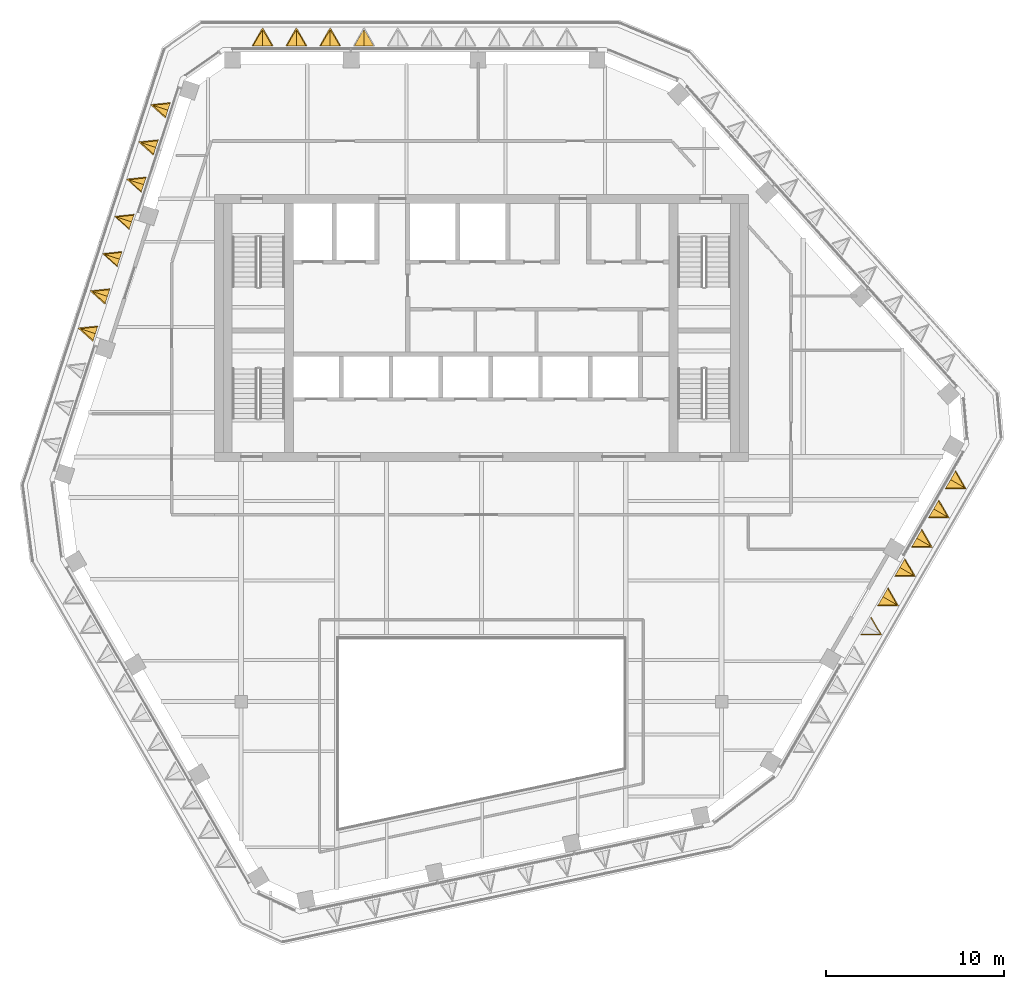
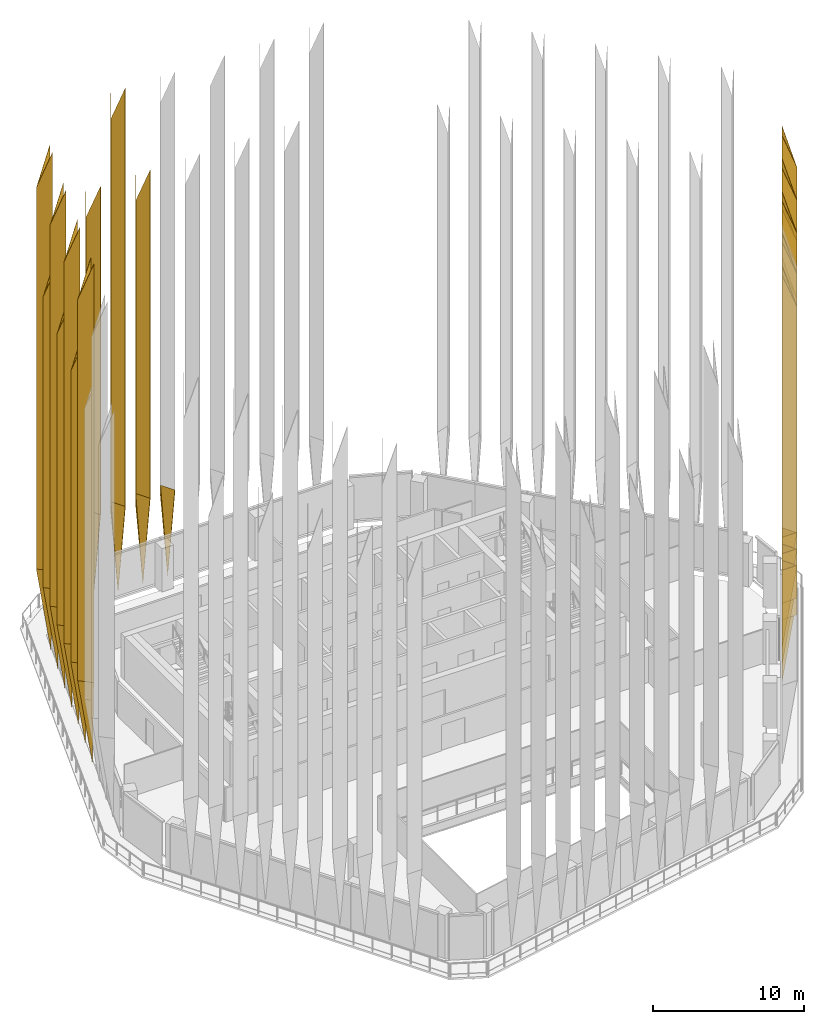
# One storey, part 19 of 21: 32 coverings.
"""IFC4 building model written with IfcOpenShell, lengths in metres."""

from ifc_helpers import new_model, si_unit, direction, frame, origin, place, context, subcontext, project, spatial, polyline, outline, faceted_brep, material, material_profile, profile_set, type_object, element, save


model = new_model("IFC4")

# Units and contexts
model_context = context("Model", 3, precision=1e-05, world=origin(), true_north=direction((0.0, 1.0)))
body_context = subcontext(model_context, "Body", "Model", "MODEL_VIEW")
ifc_project = project(units=[si_unit("LENGTHUNIT", "METRE"), si_unit("AREAUNIT", "SQUARE_METRE"), si_unit("VOLUMEUNIT", "CUBIC_METRE"), si_unit("PLANEANGLEUNIT", "RADIAN"), si_unit("MASSUNIT", "GRAM", prefix="KILO")], contexts=[model_context])

# Site, building, storey
site_placement = place(None, origin())
site = spatial("IfcSite", under=ifc_project, at=site_placement, CompositionType="ELEMENT")
building_placement = place(site_placement, origin())
building = spatial("IfcBuilding", under=site, at=building_placement, Name="Isthmus Gate Tower", CompositionType="ELEMENT")
storey_placement = place(building_placement, frame((0.0, 0.0, 260.949951171875)))
storey = spatial("IfcBuildingStorey", under=building, at=storey_placement, Name="L66", CompositionType="ELEMENT", Elevation=260.949951171875)

# Coverings
ifc_material_1 = material(Name="Structural steel ASTM A572 Gr 50, white paint system", Category="steel")
ifc_material_profile_1 = material_profile(ifc_material_1, outline(polyline([(0.0, -0.4453125), (1.0, 0.0), (0.0, 0.4453125), (0.0, 0.412353515625), (0.92626953125, 0.0), (0.0, -0.412353515625), (0.0, -0.4453125)])), Name="V1000")
ifc_profile_set_1 = profile_set([ifc_material_profile_1], Name="Structural steel ASTM A572 Gr 50, white paint system")
covering_type_1 = type_object("IfcCoveringType", Name="FIN V 1000 DEEP", PredefinedType="CLADDING", material=ifc_profile_set_1)
covering_1_placement = place(storey_placement, frame((0.0, 0.0, -260.949951171875)))
element("IfcCovering", 1, at=covering_1_placement, inside=storey, type_object=covering_type_1, Name="FIN", ObjectType="FIN", PredefinedType="CLADDING", context=body_context, shape_type="Brep", body=[
    faceted_brep([(-17.485107421875, 20.122314453125, 267.85009765625), (-18.493408203125, 20.016357421875, 267.85009765625), (-17.739990234375, 19.338134765625, 267.85009765625), (-17.750244140625, 19.306884765625, 267.85009765625), (-18.563720703125, 20.039306640625, 267.85009765625), (-17.474853515625, 20.153564453125, 267.85009765625), (-17.474853515625, 20.153564453125, 301.699951171875), (-18.563720703125, 20.039306640625, 298.699951171875), (-17.750244140625, 19.306884765625, 301.699951171875), (-17.739990234375, 19.338134765625, 301.699951171875), (-18.493408203125, 20.016357421875, 298.92138671875), (-17.485107421875, 20.122314453125, 301.699951171875)], [[[0, 1, 2, 3, 4, 5]], [[6, 7, 8, 9, 10, 11]], [[5, 4, 7, 6]], [[4, 3, 8, 7]], [[3, 2, 9, 8]], [[2, 1, 10, 9]], [[1, 0, 11, 10]], [[0, 5, 6, 11]]]),
])
covering_2_placement = place(storey_placement, frame((0.0, 0.0, -260.949951171875)))
element("IfcCovering", 2, at=covering_2_placement, inside=storey, type_object=covering_type_1, Name="FIN", ObjectType="FIN", PredefinedType="CLADDING", context=body_context, shape_type="Brep", body=[
    faceted_brep([(-18.164794921875, 18.030029296875, 267.85009765625), (-19.173095703125, 17.924072265625, 267.85009765625), (-18.419677734375, 17.245849609375, 267.85009765625), (-18.429931640625, 17.214599609375, 267.85009765625), (-19.243408203125, 17.947021484375, 267.85009765625), (-18.154541015625, 18.061279296875, 267.85009765625), (-18.154541015625, 18.061279296875, 294.39990234375), (-19.243408203125, 17.947021484375, 291.39990234375), (-18.429931640625, 17.214599609375, 294.39990234375), (-18.419677734375, 17.245849609375, 294.39990234375), (-19.173095703125, 17.924072265625, 291.621337890625), (-18.164794921875, 18.030029296875, 294.39990234375)], [[[0, 1, 2, 3, 4, 5]], [[6, 7, 8, 9, 10, 11]], [[5, 4, 7, 6]], [[4, 3, 8, 7]], [[3, 2, 9, 8]], [[2, 1, 10, 9]], [[1, 0, 11, 10]], [[0, 5, 6, 11]]]),
])
covering_3_placement = place(storey_placement, frame((0.0, 0.0, -260.949951171875)))
element("IfcCovering", 3, at=covering_3_placement, inside=storey, type_object=covering_type_1, Name="FIN", ObjectType="FIN", PredefinedType="CLADDING", context=body_context, shape_type="Brep", body=[
    faceted_brep([(-18.8447265625, 15.9375, 267.85009765625), (-19.85302734375, 15.83154296875, 267.85009765625), (-19.099609375, 15.1533203125, 267.85009765625), (-19.10986328125, 15.1220703125, 267.85009765625), (-19.92333984375, 15.8544921875, 267.85009765625), (-18.83447265625, 15.96875, 267.85009765625), (-18.83447265625, 15.96875, 301.699951171875), (-19.92333984375, 15.8544921875, 298.699951171875), (-19.10986328125, 15.1220703125, 301.699951171875), (-19.099609375, 15.1533203125, 301.699951171875), (-19.85302734375, 15.83154296875, 298.92138671875), (-18.8447265625, 15.9375, 301.699951171875)], [[[0, 1, 2, 3, 4, 5]], [[6, 7, 8, 9, 10, 11]], [[5, 4, 7, 6]], [[4, 3, 8, 7]], [[3, 2, 9, 8]], [[2, 1, 10, 9]], [[1, 0, 11, 10]], [[0, 5, 6, 11]]]),
])
covering_4_placement = place(storey_placement, frame((0.0, 0.0, -260.949951171875)))
element("IfcCovering", 4, at=covering_4_placement, inside=storey, type_object=covering_type_1, Name="FIN", ObjectType="FIN", PredefinedType="CLADDING", context=body_context, shape_type="Brep", body=[
    faceted_brep([(-19.5244140625, 13.84521484375, 267.85009765625), (-20.53271484375, 13.7392578125, 267.85009765625), (-19.779296875, 13.06103515625, 267.85009765625), (-19.78955078125, 13.02978515625, 267.85009765625), (-20.60302734375, 13.76220703125, 267.85009765625), (-19.51416015625, 13.87646484375, 267.85009765625), (-19.51416015625, 13.87646484375, 294.39990234375), (-20.60302734375, 13.76220703125, 291.39990234375), (-19.78955078125, 13.02978515625, 294.39990234375), (-19.779296875, 13.06103515625, 294.39990234375), (-20.53271484375, 13.7392578125, 291.621337890625), (-19.5244140625, 13.84521484375, 294.39990234375)], [[[0, 1, 2, 3, 4, 5]], [[6, 7, 8, 9, 10, 11]], [[5, 4, 7, 6]], [[4, 3, 8, 7]], [[3, 2, 9, 8]], [[2, 1, 10, 9]], [[1, 0, 11, 10]], [[0, 5, 6, 11]]]),
])
covering_5_placement = place(storey_placement, frame((0.0, 0.0, -260.949951171875)))
element("IfcCovering", 5, at=covering_5_placement, inside=storey, type_object=covering_type_1, Name="FIN", ObjectType="FIN", PredefinedType="CLADDING", context=body_context, shape_type="Brep", body=[
    faceted_brep([(-20.204345703125, 11.7529296875, 267.85009765625), (-21.212646484375, 11.64697265625, 267.85009765625), (-20.459228515625, 10.96875, 267.85009765625), (-20.469482421875, 10.9375, 267.85009765625), (-21.282958984375, 11.669921875, 267.85009765625), (-20.194091796875, 11.7841796875, 267.85009765625), (-20.194091796875, 11.7841796875, 301.699951171875), (-21.282958984375, 11.669921875, 298.699951171875), (-20.469482421875, 10.9375, 301.699951171875), (-20.459228515625, 10.96875, 301.699951171875), (-21.212646484375, 11.64697265625, 298.92138671875), (-20.204345703125, 11.7529296875, 301.699951171875)], [[[0, 1, 2, 3, 4, 5]], [[6, 7, 8, 9, 10, 11]], [[5, 4, 7, 6]], [[4, 3, 8, 7]], [[3, 2, 9, 8]], [[2, 1, 10, 9]], [[1, 0, 11, 10]], [[0, 5, 6, 11]]]),
])
covering_6_placement = place(storey_placement, frame((0.0, 0.0, -260.949951171875)))
element("IfcCovering", 6, at=covering_6_placement, inside=storey, type_object=covering_type_1, Name="FIN", ObjectType="FIN", PredefinedType="CLADDING", context=body_context, shape_type="Brep", body=[
    faceted_brep([(-20.88427734375, 9.66064453125, 267.85009765625), (-21.892578125, 9.5546875, 267.85009765625), (-21.13916015625, 8.87646484375, 267.85009765625), (-21.1494140625, 8.84521484375, 267.85009765625), (-21.962890625, 9.57763671875, 267.85009765625), (-20.8740234375, 9.69189453125, 267.85009765625), (-20.8740234375, 9.69189453125, 294.39990234375), (-21.962890625, 9.57763671875, 291.39990234375), (-21.1494140625, 8.84521484375, 294.39990234375), (-21.13916015625, 8.87646484375, 294.39990234375), (-21.892578125, 9.5546875, 291.621337890625), (-20.88427734375, 9.66064453125, 294.39990234375)], [[[0, 1, 2, 3, 4, 5]], [[6, 7, 8, 9, 10, 11]], [[5, 4, 7, 6]], [[4, 3, 8, 7]], [[3, 2, 9, 8]], [[2, 1, 10, 9]], [[1, 0, 11, 10]], [[0, 5, 6, 11]]]),
])
covering_7_placement = place(storey_placement, frame((0.0, 0.0, -260.949951171875)))
element("IfcCovering", 7, at=covering_7_placement, inside=storey, type_object=covering_type_1, Name="FIN", ObjectType="FIN", PredefinedType="CLADDING", context=body_context, shape_type="Brep", body=[
    faceted_brep([(-21.56396484375, 7.568359375, 267.85009765625), (-22.572265625, 7.46240234375, 267.85009765625), (-21.81884765625, 6.7841796875, 267.85009765625), (-21.8291015625, 6.7529296875, 267.85009765625), (-22.642578125, 7.4853515625, 267.85009765625), (-21.5537109375, 7.599609375, 267.85009765625), (-21.5537109375, 7.599609375, 301.699951171875), (-22.642578125, 7.4853515625, 298.699951171875), (-21.8291015625, 6.7529296875, 301.699951171875), (-21.81884765625, 6.7841796875, 301.699951171875), (-22.572265625, 7.46240234375, 298.92138671875), (-21.56396484375, 7.568359375, 301.699951171875)], [[[0, 1, 2, 3, 4, 5]], [[6, 7, 8, 9, 10, 11]], [[5, 4, 7, 6]], [[4, 3, 8, 7]], [[3, 2, 9, 8]], [[2, 1, 10, 9]], [[1, 0, 11, 10]], [[0, 5, 6, 11]]]),
])
ifc_material_2 = material(Name="Structural steel ASTM A572 Gr 50, white paint system", Category="steel")
ifc_material_profile_2 = material_profile(ifc_material_2, outline(polyline([(0.0, -0.4453125), (1.0, 0.0), (0.0, 0.4453125), (0.0, 0.412353515625), (0.92626953125, 0.0), (0.0, -0.412353515625), (0.0, -0.4453125)])), Name="V1000")
ifc_profile_set_2 = profile_set([ifc_material_profile_2], Name="Structural steel ASTM A572 Gr 50, white paint system")
covering_type_2 = type_object("IfcCoveringType", Name="FIN V 1000 DEEP FOOT", PredefinedType="CLADDING", material=ifc_profile_set_2)
covering_8_placement = place(storey_placement, frame((0.0, 0.0, -260.949951171875)))
element("IfcCovering", 8, at=covering_8_placement, inside=storey, type_object=covering_type_2, Name="FIN", ObjectType="FIN", PredefinedType="CLADDING", context=body_context, shape_type="Brep", body=[
    faceted_brep([(-17.474853515625, 20.153564453125, 267.85009765625), (-18.563720703125, 20.039306640625, 267.85009765625), (-17.750244140625, 19.306884765625, 267.85009765625), (-17.739990234375, 19.338134765625, 267.85009765625), (-18.493408203125, 20.016357421875, 267.85009765625), (-17.485107421875, 20.122314453125, 267.85009765625), (-17.612548828125, 19.730224609375, 261.050048828125)], [[[0, 1, 2, 3, 4, 5]], [[1, 0, 6]], [[2, 1, 6]], [[3, 2, 6]], [[4, 3, 6]], [[5, 4, 6]], [[0, 5, 6]]]),
])
covering_9_placement = place(storey_placement, frame((0.0, 0.0, -260.949951171875)))
element("IfcCovering", 9, at=covering_9_placement, inside=storey, type_object=covering_type_2, Name="FIN", ObjectType="FIN", PredefinedType="CLADDING", context=body_context, shape_type="Brep", body=[
    faceted_brep([(-18.154541015625, 18.061279296875, 267.85009765625), (-19.243408203125, 17.947021484375, 267.85009765625), (-18.429931640625, 17.214599609375, 267.85009765625), (-18.419677734375, 17.245849609375, 267.85009765625), (-19.173095703125, 17.924072265625, 267.85009765625), (-18.164794921875, 18.030029296875, 267.85009765625), (-18.292236328125, 17.637939453125, 261.050048828125)], [[[0, 1, 2, 3, 4, 5]], [[1, 0, 6]], [[2, 1, 6]], [[3, 2, 6]], [[4, 3, 6]], [[5, 4, 6]], [[0, 5, 6]]]),
])
covering_10_placement = place(storey_placement, frame((0.0, 0.0, -260.949951171875)))
element("IfcCovering", 10, at=covering_10_placement, inside=storey, type_object=covering_type_2, Name="FIN", ObjectType="FIN", PredefinedType="CLADDING", context=body_context, shape_type="Brep", body=[
    faceted_brep([(-18.83447265625, 15.96875, 267.85009765625), (-19.92333984375, 15.8544921875, 267.85009765625), (-19.10986328125, 15.1220703125, 267.85009765625), (-19.099609375, 15.1533203125, 267.85009765625), (-19.85302734375, 15.83154296875, 267.85009765625), (-18.8447265625, 15.9375, 267.85009765625), (-18.97216796875, 15.54541015625, 261.050048828125)], [[[0, 1, 2, 3, 4, 5]], [[1, 0, 6]], [[2, 1, 6]], [[3, 2, 6]], [[4, 3, 6]], [[5, 4, 6]], [[0, 5, 6]]]),
])
covering_11_placement = place(storey_placement, frame((0.0, 0.0, -260.949951171875)))
element("IfcCovering", 11, at=covering_11_placement, inside=storey, type_object=covering_type_2, Name="FIN", ObjectType="FIN", PredefinedType="CLADDING", context=body_context, shape_type="Brep", body=[
    faceted_brep([(-19.51416015625, 13.87646484375, 267.85009765625), (-20.60302734375, 13.76220703125, 267.85009765625), (-19.78955078125, 13.02978515625, 267.85009765625), (-19.779296875, 13.06103515625, 267.85009765625), (-20.53271484375, 13.7392578125, 267.85009765625), (-19.5244140625, 13.84521484375, 267.85009765625), (-19.65185546875, 13.453125, 261.050048828125)], [[[0, 1, 2, 3, 4, 5]], [[1, 0, 6]], [[2, 1, 6]], [[3, 2, 6]], [[4, 3, 6]], [[5, 4, 6]], [[0, 5, 6]]]),
])
covering_12_placement = place(storey_placement, frame((0.0, 0.0, -260.949951171875)))
element("IfcCovering", 12, at=covering_12_placement, inside=storey, type_object=covering_type_2, Name="FIN", ObjectType="FIN", PredefinedType="CLADDING", context=body_context, shape_type="Brep", body=[
    faceted_brep([(-20.194091796875, 11.7841796875, 267.85009765625), (-21.282958984375, 11.669921875, 267.85009765625), (-20.469482421875, 10.9375, 267.85009765625), (-20.459228515625, 10.96875, 267.85009765625), (-21.212646484375, 11.64697265625, 267.85009765625), (-20.204345703125, 11.7529296875, 267.85009765625), (-20.331787109375, 11.36083984375, 261.050048828125)], [[[0, 1, 2, 3, 4, 5]], [[1, 0, 6]], [[2, 1, 6]], [[3, 2, 6]], [[4, 3, 6]], [[5, 4, 6]], [[0, 5, 6]]]),
])
covering_13_placement = place(storey_placement, frame((0.0, 0.0, -260.949951171875)))
element("IfcCovering", 13, at=covering_13_placement, inside=storey, type_object=covering_type_2, Name="FIN", ObjectType="FIN", PredefinedType="CLADDING", context=body_context, shape_type="Brep", body=[
    faceted_brep([(-20.8740234375, 9.69189453125, 267.85009765625), (-21.962890625, 9.57763671875, 267.85009765625), (-21.1494140625, 8.84521484375, 267.85009765625), (-21.13916015625, 8.87646484375, 267.85009765625), (-21.892578125, 9.5546875, 267.85009765625), (-20.88427734375, 9.66064453125, 267.85009765625), (-21.01171875, 9.2685546875, 261.050048828125)], [[[0, 1, 2, 3, 4, 5]], [[1, 0, 6]], [[2, 1, 6]], [[3, 2, 6]], [[4, 3, 6]], [[5, 4, 6]], [[0, 5, 6]]]),
])
covering_14_placement = place(storey_placement, frame((0.0, 0.0, -260.949951171875)))
element("IfcCovering", 14, at=covering_14_placement, inside=storey, type_object=covering_type_2, Name="FIN", ObjectType="FIN", PredefinedType="CLADDING", context=body_context, shape_type="Brep", body=[
    faceted_brep([(-21.5537109375, 7.599609375, 267.85009765625), (-22.642578125, 7.4853515625, 267.85009765625), (-21.8291015625, 6.7529296875, 267.85009765625), (-21.81884765625, 6.7841796875, 267.85009765625), (-22.572265625, 7.46240234375, 267.85009765625), (-21.56396484375, 7.568359375, 267.85009765625), (-21.69140625, 7.17626953125, 261.050048828125)], [[[0, 1, 2, 3, 4, 5]], [[1, 0, 6]], [[2, 1, 6]], [[3, 2, 6]], [[4, 3, 6]], [[5, 4, 6]], [[0, 5, 6]]]),
])
ifc_material_3 = material(Name="Structural steel ASTM A572 Gr 50, white paint system", Category="steel")
ifc_material_profile_3 = material_profile(ifc_material_3, outline(polyline([(0.0, -0.577392578125), (1.0, 0.0), (0.0, 0.577392578125), (0.0, 0.542724609375), (0.93994140625, 0.0), (0.0, -0.542724609375), (0.0, -0.577392578125)])), Name="V1000W")
ifc_profile_set_3 = profile_set([ifc_material_profile_3], Name="Structural steel ASTM A572 Gr 50, white paint system")
covering_type_3 = type_object("IfcCoveringType", Name="FIN V 1000 DEEP WIDE", PredefinedType="CLADDING", material=ifc_profile_set_3)
covering_15_placement = place(storey_placement, frame((0.0, 0.0, -260.949951171875)))
element("IfcCovering", 15, at=covering_15_placement, inside=storey, type_object=covering_type_3, Name="FIN", ObjectType="FIN", PredefinedType="CLADDING", context=body_context, shape_type="Brep", body=[
    faceted_brep([(-7.94970703125, 23.35009765625, 267.85009765625), (-8.492431640625, 24.2900390625, 267.85009765625), (-9.03515625, 23.35009765625, 267.85009765625), (-9.06982421875, 23.35009765625, 267.85009765625), (-8.492431640625, 24.35009765625, 267.85009765625), (-7.9150390625, 23.35009765625, 267.85009765625), (-7.9150390625, 23.35009765625, 294.39990234375), (-8.492431640625, 24.35009765625, 291.39990234375), (-9.06982421875, 23.35009765625, 294.39990234375), (-9.03515625, 23.35009765625, 294.39990234375), (-8.492431640625, 24.2900390625, 291.580078125), (-7.94970703125, 23.35009765625, 294.39990234375)], [[[0, 1, 2, 3, 4, 5]], [[6, 7, 8, 9, 10, 11]], [[5, 4, 7, 6]], [[4, 3, 8, 7]], [[3, 2, 9, 8]], [[2, 1, 10, 9]], [[1, 0, 11, 10]], [[0, 5, 6, 11]]]),
])
covering_16_placement = place(storey_placement, frame((0.0, 0.0, -260.949951171875)))
element("IfcCovering", 16, at=covering_16_placement, inside=storey, type_object=covering_type_3, Name="FIN", ObjectType="FIN", PredefinedType="CLADDING", context=body_context, shape_type="Brep", body=[
    faceted_brep([(-9.849609375, 23.35009765625, 267.85009765625), (-10.392333984375, 24.2900390625, 267.85009765625), (-10.93505859375, 23.35009765625, 267.85009765625), (-10.9697265625, 23.35009765625, 267.85009765625), (-10.392333984375, 24.35009765625, 267.85009765625), (-9.81494140625, 23.35009765625, 267.85009765625), (-9.81494140625, 23.35009765625, 301.699951171875), (-10.392333984375, 24.35009765625, 298.699951171875), (-10.9697265625, 23.35009765625, 301.699951171875), (-10.93505859375, 23.35009765625, 301.699951171875), (-10.392333984375, 24.2900390625, 298.8798828125), (-9.849609375, 23.35009765625, 301.699951171875)], [[[0, 1, 2, 3, 4, 5]], [[6, 7, 8, 9, 10, 11]], [[5, 4, 7, 6]], [[4, 3, 8, 7]], [[3, 2, 9, 8]], [[2, 1, 10, 9]], [[1, 0, 11, 10]], [[0, 5, 6, 11]]]),
])
covering_17_placement = place(storey_placement, frame((0.0, 0.0, -260.949951171875)))
element("IfcCovering", 17, at=covering_17_placement, inside=storey, type_object=covering_type_3, Name="FIN", ObjectType="FIN", PredefinedType="CLADDING", context=body_context, shape_type="Brep", body=[
    faceted_brep([(-11.74951171875, 23.35009765625, 267.85009765625), (-12.292236328125, 24.2900390625, 267.85009765625), (-12.8349609375, 23.35009765625, 267.85009765625), (-12.86962890625, 23.35009765625, 267.85009765625), (-12.292236328125, 24.35009765625, 267.85009765625), (-11.71484375, 23.35009765625, 267.85009765625), (-11.71484375, 23.35009765625, 294.39990234375), (-12.292236328125, 24.35009765625, 291.39990234375), (-12.86962890625, 23.35009765625, 294.39990234375), (-12.8349609375, 23.35009765625, 294.39990234375), (-12.292236328125, 24.2900390625, 291.580078125), (-11.74951171875, 23.35009765625, 294.39990234375)], [[[0, 1, 2, 3, 4, 5]], [[6, 7, 8, 9, 10, 11]], [[5, 4, 7, 6]], [[4, 3, 8, 7]], [[3, 2, 9, 8]], [[2, 1, 10, 9]], [[1, 0, 11, 10]], [[0, 5, 6, 11]]]),
])
covering_18_placement = place(storey_placement, frame((0.0, 0.0, -260.949951171875)))
element("IfcCovering", 18, at=covering_18_placement, inside=storey, type_object=covering_type_3, Name="FIN", ObjectType="FIN", PredefinedType="CLADDING", context=body_context, shape_type="Brep", body=[
    faceted_brep([(21.3466796875, -9.726806640625, 267.85009765625), (22.431884765625, -9.726806640625, 267.85009765625), (21.88916015625, -8.786865234375, 267.85009765625), (21.906494140625, -8.7568359375, 267.85009765625), (22.48388671875, -9.7568359375, 267.85009765625), (21.329345703125, -9.7568359375, 267.85009765625), (21.329345703125, -9.7568359375, 301.699951171875), (22.48388671875, -9.7568359375, 298.699951171875), (21.906494140625, -8.7568359375, 301.699951171875), (21.88916015625, -8.786865234375, 301.699951171875), (22.431884765625, -9.726806640625, 298.8798828125), (21.3466796875, -9.726806640625, 301.699951171875)], [[[0, 1, 2, 3, 4, 5]], [[6, 7, 8, 9, 10, 11]], [[5, 4, 7, 6]], [[4, 3, 8, 7]], [[3, 2, 9, 8]], [[2, 1, 10, 9]], [[1, 0, 11, 10]], [[0, 5, 6, 11]]]),
])
covering_19_placement = place(storey_placement, frame((0.0, 0.0, -260.949951171875)))
element("IfcCovering", 19, at=covering_19_placement, inside=storey, type_object=covering_type_3, Name="FIN", ObjectType="FIN", PredefinedType="CLADDING", context=body_context, shape_type="Brep", body=[
    faceted_brep([(22.296630859375, -8.081298828125, 267.85009765625), (23.3818359375, -8.081298828125, 267.85009765625), (22.839111328125, -7.141357421875, 267.85009765625), (22.8564453125, -7.111328125, 267.85009765625), (23.433837890625, -8.111328125, 267.85009765625), (22.279296875, -8.111328125, 267.85009765625), (22.279296875, -8.111328125, 294.39990234375), (23.433837890625, -8.111328125, 291.39990234375), (22.8564453125, -7.111328125, 294.39990234375), (22.839111328125, -7.141357421875, 294.39990234375), (23.3818359375, -8.081298828125, 291.580078125), (22.296630859375, -8.081298828125, 294.39990234375)], [[[0, 1, 2, 3, 4, 5]], [[6, 7, 8, 9, 10, 11]], [[5, 4, 7, 6]], [[4, 3, 8, 7]], [[3, 2, 9, 8]], [[2, 1, 10, 9]], [[1, 0, 11, 10]], [[0, 5, 6, 11]]]),
])
covering_20_placement = place(storey_placement, frame((0.0, 0.0, -260.949951171875)))
element("IfcCovering", 20, at=covering_20_placement, inside=storey, type_object=covering_type_3, Name="FIN", ObjectType="FIN", PredefinedType="CLADDING", context=body_context, shape_type="Brep", body=[
    faceted_brep([(23.24658203125, -6.435791015625, 267.85009765625), (24.331787109375, -6.435791015625, 267.85009765625), (23.7890625, -5.495849609375, 267.85009765625), (23.806396484375, -5.4658203125, 267.85009765625), (24.3837890625, -6.4658203125, 267.85009765625), (23.229248046875, -6.4658203125, 267.85009765625), (23.229248046875, -6.4658203125, 301.699951171875), (24.3837890625, -6.4658203125, 298.699951171875), (23.806396484375, -5.4658203125, 301.699951171875), (23.7890625, -5.495849609375, 301.699951171875), (24.331787109375, -6.435791015625, 298.8798828125), (23.24658203125, -6.435791015625, 301.699951171875)], [[[0, 1, 2, 3, 4, 5]], [[6, 7, 8, 9, 10, 11]], [[5, 4, 7, 6]], [[4, 3, 8, 7]], [[3, 2, 9, 8]], [[2, 1, 10, 9]], [[1, 0, 11, 10]], [[0, 5, 6, 11]]]),
])
covering_21_placement = place(storey_placement, frame((0.0, 0.0, -260.949951171875)))
element("IfcCovering", 21, at=covering_21_placement, inside=storey, type_object=covering_type_3, Name="FIN", ObjectType="FIN", PredefinedType="CLADDING", context=body_context, shape_type="Brep", body=[
    faceted_brep([(24.196533203125, -4.790283203125, 267.85009765625), (25.28173828125, -4.790283203125, 267.85009765625), (24.739013671875, -3.850341796875, 267.85009765625), (24.75634765625, -3.8203125, 267.85009765625), (25.333740234375, -4.8203125, 267.85009765625), (24.17919921875, -4.8203125, 267.85009765625), (24.17919921875, -4.8203125, 294.39990234375), (25.333740234375, -4.8203125, 291.39990234375), (24.75634765625, -3.8203125, 294.39990234375), (24.739013671875, -3.850341796875, 294.39990234375), (25.28173828125, -4.790283203125, 291.580078125), (24.196533203125, -4.790283203125, 294.39990234375)], [[[0, 1, 2, 3, 4, 5]], [[6, 7, 8, 9, 10, 11]], [[5, 4, 7, 6]], [[4, 3, 8, 7]], [[3, 2, 9, 8]], [[2, 1, 10, 9]], [[1, 0, 11, 10]], [[0, 5, 6, 11]]]),
])
covering_22_placement = place(storey_placement, frame((0.0, 0.0, -260.949951171875)))
element("IfcCovering", 22, at=covering_22_placement, inside=storey, type_object=covering_type_3, Name="FIN", ObjectType="FIN", PredefinedType="CLADDING", context=body_context, shape_type="Brep", body=[
    faceted_brep([(25.146728515625, -3.14501953125, 267.85009765625), (26.23193359375, -3.14501953125, 267.85009765625), (25.689208984375, -2.205078125, 267.85009765625), (25.70654296875, -2.175048828125, 267.85009765625), (26.283935546875, -3.175048828125, 267.85009765625), (25.12939453125, -3.175048828125, 267.85009765625), (25.12939453125, -3.175048828125, 301.699951171875), (26.283935546875, -3.175048828125, 298.699951171875), (25.70654296875, -2.175048828125, 301.699951171875), (25.689208984375, -2.205078125, 301.699951171875), (26.23193359375, -3.14501953125, 298.8798828125), (25.146728515625, -3.14501953125, 301.699951171875)], [[[0, 1, 2, 3, 4, 5]], [[6, 7, 8, 9, 10, 11]], [[5, 4, 7, 6]], [[4, 3, 8, 7]], [[3, 2, 9, 8]], [[2, 1, 10, 9]], [[1, 0, 11, 10]], [[0, 5, 6, 11]]]),
])
covering_23_placement = place(storey_placement, frame((0.0, 0.0, -260.949951171875)))
element("IfcCovering", 23, at=covering_23_placement, inside=storey, type_object=covering_type_3, Name="FIN", ObjectType="FIN", PredefinedType="CLADDING", context=body_context, shape_type="Brep", body=[
    faceted_brep([(26.0966796875, -1.49951171875, 267.85009765625), (27.181884765625, -1.49951171875, 267.85009765625), (26.63916015625, -0.5595703125, 267.85009765625), (26.656494140625, -0.529541015625, 267.85009765625), (27.23388671875, -1.529541015625, 267.85009765625), (26.079345703125, -1.529541015625, 267.85009765625), (26.079345703125, -1.529541015625, 294.39990234375), (27.23388671875, -1.529541015625, 291.39990234375), (26.656494140625, -0.529541015625, 294.39990234375), (26.63916015625, -0.5595703125, 294.39990234375), (27.181884765625, -1.49951171875, 291.580078125), (26.0966796875, -1.49951171875, 294.39990234375)], [[[0, 1, 2, 3, 4, 5]], [[6, 7, 8, 9, 10, 11]], [[5, 4, 7, 6]], [[4, 3, 8, 7]], [[3, 2, 9, 8]], [[2, 1, 10, 9]], [[1, 0, 11, 10]], [[0, 5, 6, 11]]]),
])
ifc_material_4 = material(Name="Structural steel ASTM A572 Gr 50, white paint system", Category="steel")
ifc_material_profile_4 = material_profile(ifc_material_4, outline(polyline([(0.0, -0.577392578125), (1.0, 0.0), (0.0, 0.577392578125), (0.0, 0.542724609375), (0.93994140625, 0.0), (0.0, -0.542724609375), (0.0, -0.577392578125)])), Name="V1000W")
ifc_profile_set_4 = profile_set([ifc_material_profile_4], Name="Structural steel ASTM A572 Gr 50, white paint system")
covering_type_4 = type_object("IfcCoveringType", Name="FIN V 1000 DEEP WIDE FOOT", PredefinedType="CLADDING", material=ifc_profile_set_4)
covering_24_placement = place(storey_placement, frame((0.0, 0.0, -260.949951171875)))
element("IfcCovering", 24, at=covering_24_placement, inside=storey, type_object=covering_type_4, Name="FIN", ObjectType="FIN", PredefinedType="CLADDING", context=body_context, shape_type="Brep", body=[
    faceted_brep([(-6.014892578125, 23.35009765625, 267.85009765625), (-6.59228515625, 24.35009765625, 267.85009765625), (-7.169677734375, 23.35009765625, 267.85009765625), (-7.135009765625, 23.35009765625, 267.85009765625), (-6.59228515625, 24.2900390625, 267.85009765625), (-6.049560546875, 23.35009765625, 267.85009765625), (-6.59228515625, 23.35009765625, 261.050048828125)], [[[0, 1, 2, 3, 4, 5]], [[1, 0, 6]], [[2, 1, 6]], [[3, 2, 6]], [[4, 3, 6]], [[5, 4, 6]], [[0, 5, 6]]]),
])
covering_25_placement = place(storey_placement, frame((0.0, 0.0, -260.949951171875)))
element("IfcCovering", 25, at=covering_25_placement, inside=storey, type_object=covering_type_4, Name="FIN", ObjectType="FIN", PredefinedType="CLADDING", context=body_context, shape_type="Brep", body=[
    faceted_brep([(-7.9150390625, 23.35009765625, 267.85009765625), (-8.492431640625, 24.35009765625, 267.85009765625), (-9.06982421875, 23.35009765625, 267.85009765625), (-9.03515625, 23.35009765625, 267.85009765625), (-8.492431640625, 24.2900390625, 267.85009765625), (-7.94970703125, 23.35009765625, 267.85009765625), (-8.492431640625, 23.35009765625, 261.050048828125)], [[[0, 1, 2, 3, 4, 5]], [[1, 0, 6]], [[2, 1, 6]], [[3, 2, 6]], [[4, 3, 6]], [[5, 4, 6]], [[0, 5, 6]]]),
])
covering_26_placement = place(storey_placement, frame((0.0, 0.0, -260.949951171875)))
element("IfcCovering", 26, at=covering_26_placement, inside=storey, type_object=covering_type_4, Name="FIN", ObjectType="FIN", PredefinedType="CLADDING", context=body_context, shape_type="Brep", body=[
    faceted_brep([(-9.81494140625, 23.35009765625, 267.85009765625), (-10.392333984375, 24.35009765625, 267.85009765625), (-10.9697265625, 23.35009765625, 267.85009765625), (-10.93505859375, 23.35009765625, 267.85009765625), (-10.392333984375, 24.2900390625, 267.85009765625), (-9.849609375, 23.35009765625, 267.85009765625), (-10.392333984375, 23.35009765625, 261.050048828125)], [[[0, 1, 2, 3, 4, 5]], [[1, 0, 6]], [[2, 1, 6]], [[3, 2, 6]], [[4, 3, 6]], [[5, 4, 6]], [[0, 5, 6]]]),
])
covering_27_placement = place(storey_placement, frame((0.0, 0.0, -260.949951171875)))
element("IfcCovering", 27, at=covering_27_placement, inside=storey, type_object=covering_type_4, Name="FIN", ObjectType="FIN", PredefinedType="CLADDING", context=body_context, shape_type="Brep", body=[
    faceted_brep([(-11.71484375, 23.35009765625, 267.85009765625), (-12.292236328125, 24.35009765625, 267.85009765625), (-12.86962890625, 23.35009765625, 267.85009765625), (-12.8349609375, 23.35009765625, 267.85009765625), (-12.292236328125, 24.2900390625, 267.85009765625), (-11.74951171875, 23.35009765625, 267.85009765625), (-12.292236328125, 23.35009765625, 261.050048828125)], [[[0, 1, 2, 3, 4, 5]], [[1, 0, 6]], [[2, 1, 6]], [[3, 2, 6]], [[4, 3, 6]], [[5, 4, 6]], [[0, 5, 6]]]),
])
covering_28_placement = place(storey_placement, frame((0.0, 0.0, -260.949951171875)))
element("IfcCovering", 28, at=covering_28_placement, inside=storey, type_object=covering_type_4, Name="FIN", ObjectType="FIN", PredefinedType="CLADDING", context=body_context, shape_type="Brep", body=[
    faceted_brep([(22.279296875, -8.111328125, 267.85009765625), (23.433837890625, -8.111328125, 267.85009765625), (22.8564453125, -7.111328125, 267.85009765625), (22.839111328125, -7.141357421875, 267.85009765625), (23.3818359375, -8.081298828125, 267.85009765625), (22.296630859375, -8.081298828125, 267.85009765625), (22.56787109375, -7.611328125, 261.050048828125)], [[[0, 1, 2, 3, 4, 5]], [[1, 0, 6]], [[2, 1, 6]], [[3, 2, 6]], [[4, 3, 6]], [[5, 4, 6]], [[0, 5, 6]]]),
])
covering_29_placement = place(storey_placement, frame((0.0, 0.0, -260.949951171875)))
element("IfcCovering", 29, at=covering_29_placement, inside=storey, type_object=covering_type_4, Name="FIN", ObjectType="FIN", PredefinedType="CLADDING", context=body_context, shape_type="Brep", body=[
    faceted_brep([(23.229248046875, -6.4658203125, 267.85009765625), (24.3837890625, -6.4658203125, 267.85009765625), (23.806396484375, -5.4658203125, 267.85009765625), (23.7890625, -5.495849609375, 267.85009765625), (24.331787109375, -6.435791015625, 267.85009765625), (23.24658203125, -6.435791015625, 267.85009765625), (23.517822265625, -5.9658203125, 261.050048828125)], [[[0, 1, 2, 3, 4, 5]], [[1, 0, 6]], [[2, 1, 6]], [[3, 2, 6]], [[4, 3, 6]], [[5, 4, 6]], [[0, 5, 6]]]),
])
covering_30_placement = place(storey_placement, frame((0.0, 0.0, -260.949951171875)))
element("IfcCovering", 30, at=covering_30_placement, inside=storey, type_object=covering_type_4, Name="FIN", ObjectType="FIN", PredefinedType="CLADDING", context=body_context, shape_type="Brep", body=[
    faceted_brep([(24.17919921875, -4.8203125, 267.85009765625), (25.333740234375, -4.8203125, 267.85009765625), (24.75634765625, -3.8203125, 267.85009765625), (24.739013671875, -3.850341796875, 267.85009765625), (25.28173828125, -4.790283203125, 267.85009765625), (24.196533203125, -4.790283203125, 267.85009765625), (24.4677734375, -4.3203125, 261.050048828125)], [[[0, 1, 2, 3, 4, 5]], [[1, 0, 6]], [[2, 1, 6]], [[3, 2, 6]], [[4, 3, 6]], [[5, 4, 6]], [[0, 5, 6]]]),
])
covering_31_placement = place(storey_placement, frame((0.0, 0.0, -260.949951171875)))
element("IfcCovering", 31, at=covering_31_placement, inside=storey, type_object=covering_type_4, Name="FIN", ObjectType="FIN", PredefinedType="CLADDING", context=body_context, shape_type="Brep", body=[
    faceted_brep([(25.12939453125, -3.175048828125, 267.85009765625), (26.283935546875, -3.175048828125, 267.85009765625), (25.70654296875, -2.175048828125, 267.85009765625), (25.689208984375, -2.205078125, 267.85009765625), (26.23193359375, -3.14501953125, 267.85009765625), (25.146728515625, -3.14501953125, 267.85009765625), (25.41796875, -2.675048828125, 261.050048828125)], [[[0, 1, 2, 3, 4, 5]], [[1, 0, 6]], [[2, 1, 6]], [[3, 2, 6]], [[4, 3, 6]], [[5, 4, 6]], [[0, 5, 6]]]),
])
covering_32_placement = place(storey_placement, frame((0.0, 0.0, -260.949951171875)))
element("IfcCovering", 32, at=covering_32_placement, inside=storey, type_object=covering_type_4, Name="FIN", ObjectType="FIN", PredefinedType="CLADDING", context=body_context, shape_type="Brep", body=[
    faceted_brep([(26.079345703125, -1.529541015625, 267.85009765625), (27.23388671875, -1.529541015625, 267.85009765625), (26.656494140625, -0.529541015625, 267.85009765625), (26.63916015625, -0.5595703125, 267.85009765625), (27.181884765625, -1.49951171875, 267.85009765625), (26.0966796875, -1.49951171875, 267.85009765625), (26.367919921875, -1.029541015625, 261.050048828125)], [[[0, 1, 2, 3, 4, 5]], [[1, 0, 6]], [[2, 1, 6]], [[3, 2, 6]], [[4, 3, 6]], [[5, 4, 6]], [[0, 5, 6]]]),
])

save(model, "model.ifc")
